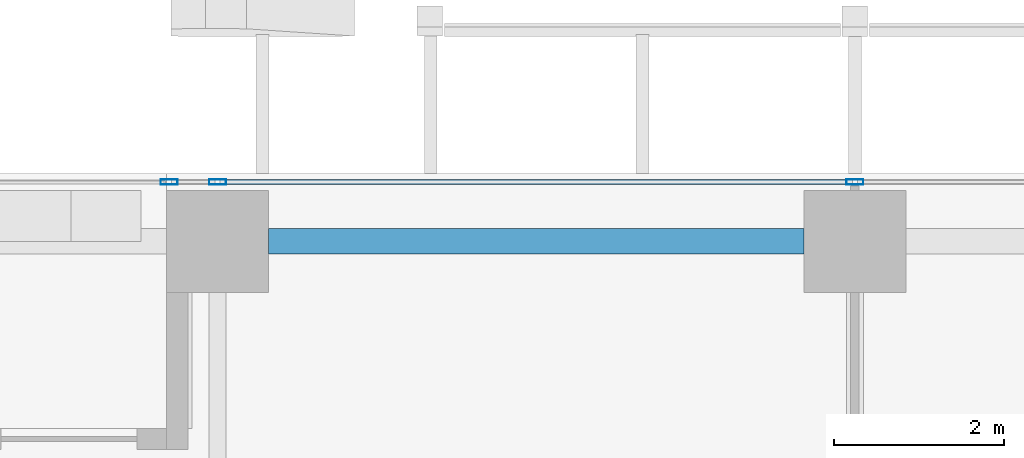
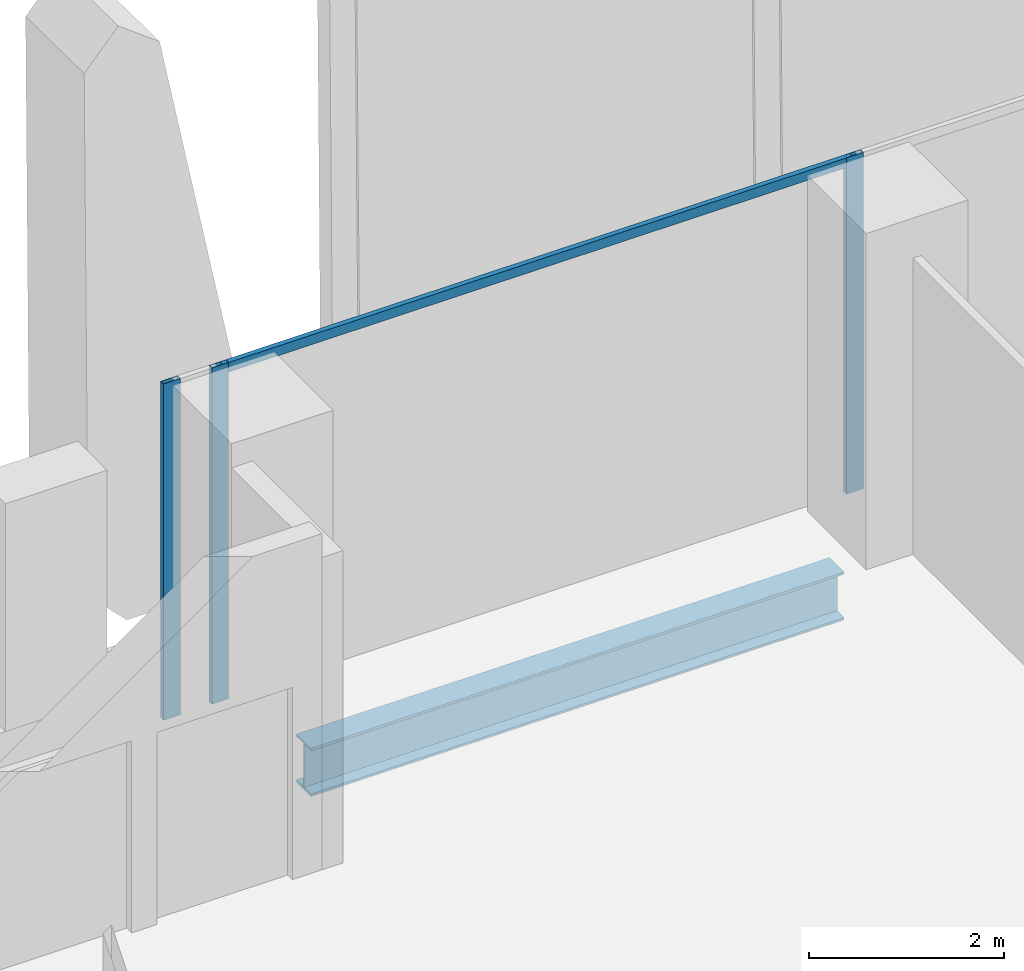
# One storey, part 19 of 35: 4 members, 1 beam, 1 element without a shape of its own.
"""IFC4 building model written with IfcOpenShell, lengths in metres."""

from ifc_helpers import new_model, si_unit, direction, frame, origin, origin_2d, place, context, subcontext, project, spatial, hollow_rectangle, i_section, extrude, source, transform, mapped, material, material_profile, profile_set, type_object, element, aggregate, save


model = new_model("IFC4")

# Units and contexts
model_context = context("Model", 3, precision=1e-05, world=origin(), true_north=direction((0.0, 1.0)))
body_context = subcontext(model_context, "Body", "Model", "MODEL_VIEW")
ifc_project = project(units=[si_unit("LENGTHUNIT", "METRE"), si_unit("AREAUNIT", "SQUARE_METRE"), si_unit("VOLUMEUNIT", "CUBIC_METRE"), si_unit("PLANEANGLEUNIT", "RADIAN"), si_unit("MASSUNIT", "GRAM", prefix="KILO")], contexts=[model_context])

# Site, building, storey
site_placement = place(None, origin())
site = spatial("IfcSite", under=ifc_project, at=site_placement, CompositionType="ELEMENT")
building_placement = place(site_placement, origin())
building = spatial("IfcBuilding", under=site, at=building_placement, Name="Khomas Fold Tower", CompositionType="ELEMENT")
storey_placement = place(building_placement, frame((0.0, 0.0, 87.0)))
storey = spatial("IfcBuildingStorey", under=building, at=storey_placement, Name="L18", CompositionType="ELEMENT", Elevation=87.0)

# Beam
ifc_material_1 = material(Name="Steel S355", Category="steel")
ifc_material_profile_1 = material_profile(ifc_material_1, i_section(OverallWidth=0.300048828125, OverallDepth=0.60009765625, WebThickness=0.015380859375, FlangeThickness=0.030029296875, at=origin_2d()), Name="HE 600 B")
ifc_profile_set_1 = profile_set([ifc_material_profile_1], Name="Steel S355")
beam_type = type_object("IfcBeamType", Name="HE 600 B spandrel SB1", PredefinedType="SPANDREL", material=ifc_profile_set_1)
shared_shape_1 = source(origin(), body_context, "Body", "SweptSolid", [
    extrude(i_section(OverallWidth=0.300048828125, OverallDepth=0.60009765625, WebThickness=0.015380859375, FlangeThickness=0.030029296875, at=origin_2d()), origin(), (0.0, 0.0, 1.0), 6.2998046875),
])
beam_placement = place(storey_placement, frame((35.10009765625, 53.199951171875, -0.60009765625), z_axis=(1.0, 0.0, 0.0), x_axis=(0.0, 1.0, 0.0)))
element("IfcBeam", 1, at=beam_placement, inside=storey, type_object=beam_type, Name="SB1", PredefinedType="SPANDREL", context=body_context, shape_type="MappedRepresentation", body=[
    mapped(shared_shape_1, transform((0.0, 0.0, 0.0))),
])

# Curtain wall, members
ifc_material_2 = material(Name="Aluminium framed double glazing", Category="aluminium")
curtain_wall_type = type_object("IfcCurtainWallType", Name="SK-Unitised clear-glass wall, growing floors CW1", PredefinedType="NOTDEFINED", material=ifc_material_2)
curtain_wall_placement = place(storey_placement, origin())
curtain_wall = element("IfcCurtainWall", 2, at=curtain_wall_placement, inside=storey, type_object=curtain_wall_type, Name="CW1 run L18 06-0", PredefinedType="NOTDEFINED")
ifc_material_3 = material(Name="Aluminium", Category="aluminium")
ifc_material_profile_2 = material_profile(ifc_material_3, hollow_rectangle(XDim=0.06005859375, YDim=0.1201171875, WallThickness=0.00390625, at=origin_2d()), Name="SK-Unitised clear-glass wall, growing floors transom CW1-T")
ifc_profile_set_2 = profile_set([ifc_material_profile_2], Name="Aluminium")
member_type_1 = type_object("IfcMemberType", Name="SK-Unitised clear-glass wall, growing floors transom CW1-T", PredefinedType="USERDEFINED", material=ifc_profile_set_2)
shared_shape_2 = source(origin(), body_context, "Body", "SweptSolid", [
    extrude(hollow_rectangle(XDim=0.06005859375, YDim=0.1201171875, WallThickness=0.00390625, at=origin_2d()), origin(), (0.0, 0.0, 1.0), 7.43994140625),
])
member_1_placement = place(storey_placement, frame((41.969970703125, 53.89990234375, 4.139892578125), z_axis=(-1.0, 0.0, 0.0), x_axis=(0.0, -1.0, 0.0)))
member_1 = element("IfcMember", 3, at=member_1_placement, type_object=member_type_1, Name="CW1 transom 3", ObjectType="TRANSOM", PredefinedType="USERDEFINED", context=body_context, shape_type="MappedRepresentation", body=[
    mapped(shared_shape_2, transform((0.0, 0.0, 0.0))),
])
ifc_material_4 = material(Name="Aluminium", Category="aluminium")
ifc_material_profile_3 = material_profile(ifc_material_4, hollow_rectangle(XDim=0.06005859375, YDim=0.199951171875, WallThickness=0.00390625, at=origin_2d()), Name="SK-Unitised clear-glass wall, growing floors mullion CW1-M")
ifc_profile_set_3 = profile_set([ifc_material_profile_3], Name="Aluminium")
member_type_2 = type_object("IfcMemberType", Name="SK-Unitised clear-glass wall, growing floors mullion CW1-M", PredefinedType="MULLION", material=ifc_profile_set_3)
shared_shape_3 = source(origin(), body_context, "Body", "SweptSolid", [
    extrude(hollow_rectangle(XDim=0.06005859375, YDim=0.199951171875, WallThickness=0.00390625, at=origin_2d()), origin(), (0.0, 0.0, 1.0), 4.199951171875),
])
member_2_placement = place(storey_placement, frame((42.0, 53.89990234375, 0.0), z_axis=(0.0, 0.0, 1.0), x_axis=(0.0, -1.0, 0.0)))
member_2 = element("IfcMember", 4, at=member_2_placement, type_object=member_type_2, Name="CW1 mullion 3", PredefinedType="MULLION", context=body_context, shape_type="MappedRepresentation", body=[
    mapped(shared_shape_3, transform((0.0, 0.0, 0.0))),
])
member_3_placement = place(storey_placement, frame((34.5, 53.89990234375, 0.0), z_axis=(0.0, 0.0, 1.0), x_axis=(0.0, -1.0, 0.0)))
member_3 = element("IfcMember", 5, at=member_3_placement, type_object=member_type_2, Name="CW1 mullion 4", PredefinedType="MULLION", context=body_context, shape_type="MappedRepresentation", body=[
    mapped(shared_shape_3, transform((0.0, 0.0, 0.0))),
])
member_4_placement = place(storey_placement, frame((33.929931640625, 53.89990234375, 0.0), z_axis=(0.0, 0.0, 1.0), x_axis=(0.0, -1.0, 0.0)))
member_4 = element("IfcMember", 6, at=member_4_placement, type_object=member_type_2, Name="CW1 mullion 5", PredefinedType="MULLION", context=body_context, shape_type="MappedRepresentation", body=[
    mapped(shared_shape_3, transform((0.0, 0.0, 0.0))),
])
aggregate(curtain_wall, [member_2, member_3, member_4, member_1])

save(model, "model.ifc")
